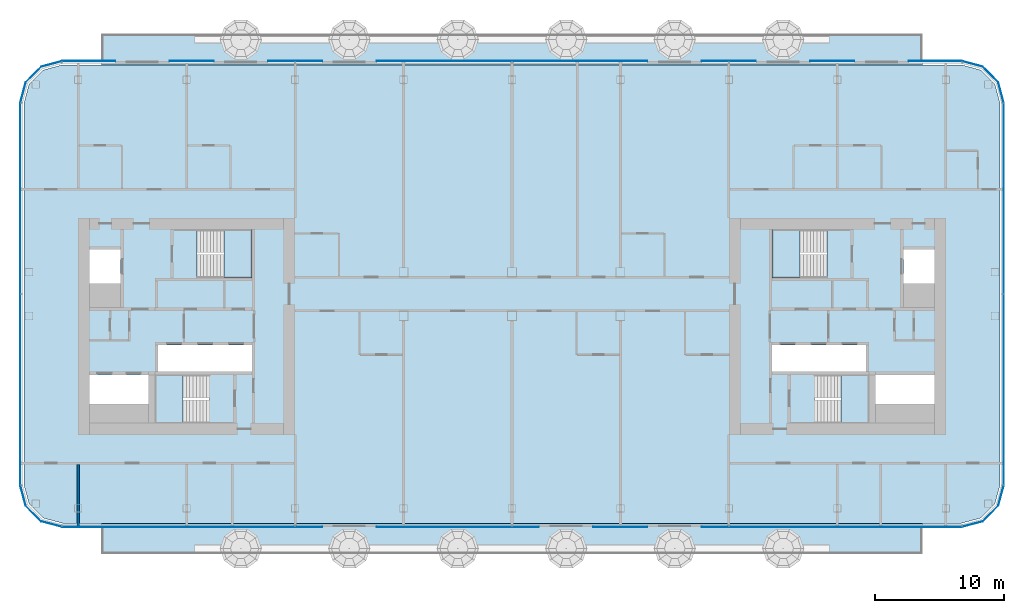
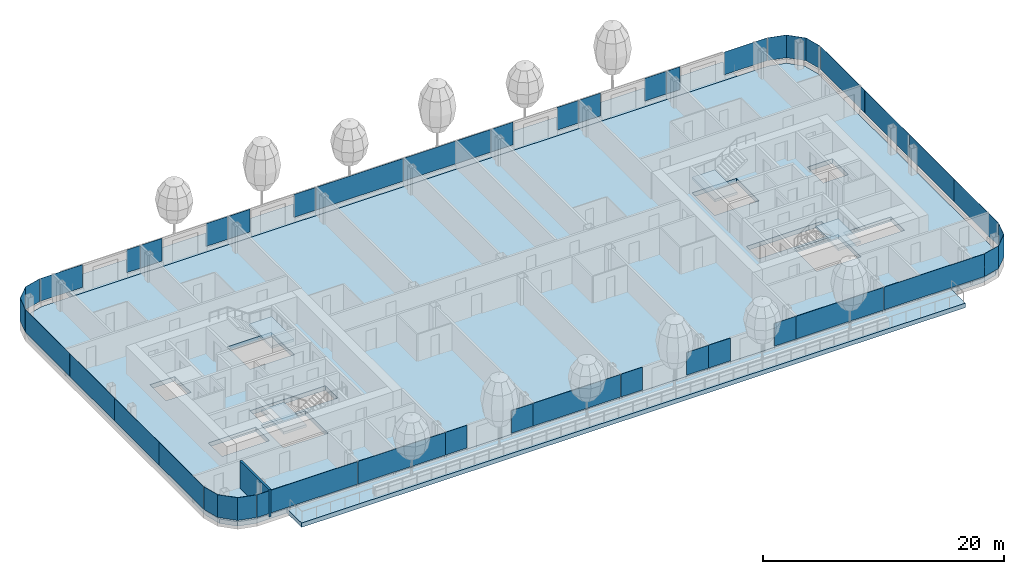
# One storey, part 10 of 28: 37 plates, 7 slabs, 1 wall, 12 elements without a shape of their own.
"""IFC4 building model written with IfcOpenShell, lengths in metres."""

import ifcopenshell
import ifcopenshell.guid

model = None  # the IFC model being written
_history = None  # IfcOwnerHistory: only IFC2X3 demands one
_inside = {}  # id of a spatial element -> (the spatial element, [elements in it])
_under = {}  # id of a project, library or spatial element -> (it, [spatial elements below it])
_declared = {}  # id of a project -> (the project, [libraries it declares])
_typed = {}  # id of a type object -> (the type object, [elements of that type])
_made_of = {}  # id of a material, layer set ... -> (it, [elements and type objects made of it])


def new_model(schema):
    """Start an empty IFC model of exactly this schema.

    Asked for "IFC4X3", IfcOpenShell would pick the latest addendum, in which some entities
    have other attributes; the version numbers below select the first issue.
    IFC2X3 requires an IfcOwnerHistory on every rooted entity: one is made here for all.
    """
    global model, _history
    if schema == "IFC4X3":
        model = ifcopenshell.file(schema_version=(4, 3, 0, 0))
    else:
        model = ifcopenshell.file(schema=schema)
    _inside.clear()
    _under.clear()
    _declared.clear()
    _typed.clear()
    _made_of.clear()
    _history = None
    if model.schema == "IFC2X3":
        org = make("IfcOrganization", Name="unknown")
        user = make(
            "IfcPersonAndOrganization",
            ThePerson=make("IfcPerson", FamilyName="unknown"),
            TheOrganization=org,
        )
        app = make(
            "IfcApplication",
            ApplicationDeveloper=org,
            Version="unknown",
            ApplicationFullName="unknown",
            ApplicationIdentifier="unknown",
        )
        _history = make(
            "IfcOwnerHistory",
            OwningUser=user,
            OwningApplication=app,
            ChangeAction="ADDED",
            CreationDate=0,
        )
    return model


def make(cls, **values):
    """One entity of the class cls with the attributes given. An attribute that is None is left unset."""
    return model.create_entity(
        cls, **{name: value for name, value in values.items() if value is not None}
    )


def rooted(cls, **values):
    """An entity with a GlobalId (a new one), such as an element, a storey or a relation."""
    return make(cls, GlobalId=ifcopenshell.guid.new(), OwnerHistory=_history, **values)


def si_unit(unit_type, name, prefix=None):
    """IfcSIUnit, for example si_unit("LENGTHUNIT", "METRE", prefix="MILLI")."""
    return make("IfcSIUnit", UnitType=unit_type, Prefix=prefix, Name=name)


def assignment(units):
    """IfcUnitAssignment: the units of a project."""
    return None if units is None else make("IfcUnitAssignment", Units=units)


def point(xyz):
    """IfcCartesianPoint."""
    return None if xyz is None else make("IfcCartesianPoint", Coordinates=xyz)


def direction(xyz):
    """IfcDirection."""
    return None if xyz is None else make("IfcDirection", DirectionRatios=xyz)


def frame(location, z_axis=None, x_axis=None):
    """IfcAxis2Placement3D, a coordinate frame: its origin and axes. An axis left out is left unset."""
    return make(
        "IfcAxis2Placement3D",
        Location=point(location),
        Axis=direction(z_axis),
        RefDirection=direction(x_axis),
    )


def frame_2d(location, x_axis=None):
    """IfcAxis2Placement2D, a coordinate frame in the plane: its origin and x axis."""
    return make(
        "IfcAxis2Placement2D", Location=point(location), RefDirection=direction(x_axis)
    )


def origin():
    """The frame at (0, 0, 0) with its axes left unset."""
    return frame((0.0, 0.0, 0.0))


def origin_2d():
    """The frame at (0, 0) in the plane with its x axis left unset."""
    return frame_2d((0.0, 0.0))


def place(relative_to, where):
    """IfcLocalPlacement: puts the frame where relative to a parent placement (None: the world)."""
    return make(
        "IfcLocalPlacement", PlacementRelTo=relative_to, RelativePlacement=where
    )


def context(
    kind, dimensions, precision=None, world=None, true_north=None, identifier=None
):
    """IfcGeometricRepresentationContext, for example the 3D "Model" context."""
    return make(
        "IfcGeometricRepresentationContext",
        ContextIdentifier=identifier,
        ContextType=kind,
        CoordinateSpaceDimension=dimensions,
        Precision=precision,
        WorldCoordinateSystem=world,
        TrueNorth=true_north,
    )


def subcontext(parent, identifier, kind, view, scale=None):
    """IfcGeometricRepresentationSubContext, for example "Body" below "Model"."""
    return make(
        "IfcGeometricRepresentationSubContext",
        ContextIdentifier=identifier,
        ContextType=kind,
        ParentContext=parent,
        TargetScale=scale,
        TargetView=view,
    )


def project(units=None, contexts=None):
    """IfcProject with its units and contexts."""
    return rooted(
        "IfcProject",
        Name="project",
        RepresentationContexts=contexts,
        UnitsInContext=assignment(units),
    )


def spatial(cls, under=None, at=None, **own):
    """A site, building, storey or space (cls), placed at a placement, below another one or the project."""
    s = rooted(cls, ObjectPlacement=at, **own)
    if under is not None:
        _under.setdefault(under.id(), (under, []))[1].append(s)
    return s


def polyline(points):
    """IfcPolyline through the points."""
    return make("IfcPolyline", Points=[point(p) for p in points])


def profile(cls, at=None, kind="AREA", **sizes):
    """A parametric profile (cls). Its sizes go by their IFC names, for example OverallWidth=200.0."""
    return make(cls, ProfileType=kind, Position=at, **sizes)


def rectangle(**sizes):
    """IfcRectangleProfileDef."""
    return profile("IfcRectangleProfileDef", **sizes)


def outline(outer, holes=None, kind="AREA"):
    """IfcArbitraryClosedProfileDef: a profile drawn as a closed curve; with holes, ...WithVoids."""
    if holes is None:
        return make("IfcArbitraryClosedProfileDef", ProfileType=kind, OuterCurve=outer)
    return make(
        "IfcArbitraryProfileDefWithVoids",
        ProfileType=kind,
        OuterCurve=outer,
        InnerCurves=holes,
    )


def extrude(swept, where, along, depth):
    """IfcExtrudedAreaSolid: the profile swept, set in the frame where, extruded along a direction by depth."""
    return make(
        "IfcExtrudedAreaSolid",
        SweptArea=swept,
        Position=where,
        ExtrudedDirection=direction(along),
        Depth=depth,
    )


def shape(context_of_items, identifier, shape_type, items):
    """IfcShapeRepresentation: the items that make up one representation, for example the "Body"."""
    return make(
        "IfcShapeRepresentation",
        ContextOfItems=context_of_items,
        RepresentationIdentifier=identifier,
        RepresentationType=shape_type,
        Items=items,
    )


def material(Name=None, Category=None):
    """IfcMaterial."""
    return make("IfcMaterial", Name=Name, Category=Category)


def layer(
    of_material, thickness, ventilated=None, Name=None, Category=None, Priority=None
):
    """IfcMaterialLayer: one layer of a wall or slab, of a material (None: an air gap)."""
    return make(
        "IfcMaterialLayer",
        Material=of_material,
        LayerThickness=thickness,
        IsVentilated=ventilated,
        Name=Name,
        Category=Category,
        Priority=Priority,
    )


def layer_set(layers, Name=None):
    """IfcMaterialLayerSet."""
    return make("IfcMaterialLayerSet", MaterialLayers=layers, LayerSetName=Name)


def made_of(thing, what):
    """Note that an element or type object is made of a material, layer set ...; save() writes the relation."""
    if what is not None:
        _made_of.setdefault(what.id(), (what, []))[1].append(thing)
    return thing


def type_object(cls, material=None, **own):
    """A type object (cls), such as IfcWallType, which elements share."""
    return made_of(rooted(cls, **own), material)


def element(
    cls,
    number,
    at=None,
    inside=None,
    cuts=None,
    type_object=None,
    material=None,
    context=None,
    identifier="Body",
    shape_type=None,
    held_by="IfcProductDefinitionShape",
    body=None,
    shapes=None,
    **own,
):
    """One element of the class cls, such as IfcWall. Its Tag is "e" and its number.

    at: its placement. inside: the storey or other place that contains it. cuts: it is an
    opening in that element (IfcRelVoidsElement). A single representation is given by context,
    identifier, shape_type and body (its items); several are given by shapes. held_by: the class
    of the entity that holds the representations. save() writes the other relations.
    """
    e = rooted(cls, Tag="e%d" % number, ObjectPlacement=at, **own)
    if body is not None:
        shapes = [shape(context, identifier, shape_type, body)]
    if shapes is not None:
        e.Representation = make(held_by, Representations=shapes)
    if inside is not None:
        _inside.setdefault(inside.id(), (inside, []))[1].append(e)
    if cuts is not None:
        rooted(
            "IfcRelVoidsElement", RelatingBuildingElement=cuts, RelatedOpeningElement=e
        )
    if type_object is not None:
        _typed.setdefault(type_object.id(), (type_object, []))[1].append(e)
    return made_of(e, material)


def aggregate(whole, parts):
    """IfcRelAggregates: a whole, such as a stair, and the parts it consists of."""
    return rooted("IfcRelAggregates", RelatingObject=whole, RelatedObjects=parts)


def save(model, path):
    """Write the relations noted so far, then the file.

    IfcRelAggregates (storeys below a building ...), IfcRelContainedInSpatialStructure (elements
    in a storey), IfcRelDefinesByType, IfcRelAssociatesMaterial and IfcRelDeclares: one each for
    every whole, place, type object, material and project.
    """
    for whole, parts in _under.values():
        aggregate(whole, parts)
    for where, things in _inside.values():
        rooted(
            "IfcRelContainedInSpatialStructure",
            RelatedElements=things,
            RelatingStructure=where,
        )
    for kind, things in _typed.values():
        rooted("IfcRelDefinesByType", RelatedObjects=things, RelatingType=kind)
    for what, things in _made_of.values():
        rooted("IfcRelAssociatesMaterial", RelatedObjects=things, RelatingMaterial=what)
    for by, libraries in _declared.values():
        rooted("IfcRelDeclares", RelatingContext=by, RelatedDefinitions=libraries)
    model.write(path)


model = new_model("IFC4")

# Units and contexts
model_context = context("Model", 3, precision=1e-05, world=origin(), true_north=direction((0.0, 1.0)))
body_context = subcontext(model_context, "Body", "Model", "MODEL_VIEW")
ifc_project = project(units=[si_unit("LENGTHUNIT", "METRE"), si_unit("AREAUNIT", "SQUARE_METRE"), si_unit("VOLUMEUNIT", "CUBIC_METRE"), si_unit("PLANEANGLEUNIT", "RADIAN"), si_unit("MASSUNIT", "GRAM", prefix="KILO")], contexts=[model_context])

# Site, building, storey
site_placement = place(None, origin())
site = spatial("IfcSite", under=ifc_project, at=site_placement, CompositionType="ELEMENT")
building_placement = place(site_placement, origin())
building = spatial("IfcBuilding", under=site, at=building_placement, Name="Hakoniwa Tower and Hamabe Station Hall", CompositionType="ELEMENT")
storey_placement = place(building_placement, frame((0.0, 0.0, 218.60009765625)))
storey = spatial("IfcBuildingStorey", under=building, at=storey_placement, Name="L62", CompositionType="ELEMENT", Elevation=218.60009765625)

# Slabs
ifc_material_1 = material(Name="Concrete C42", Category="concrete")
ifc_layer_1 = layer(ifc_material_1, 0.25)
ifc_layer_set_1 = layer_set([ifc_layer_1], Name="BALCONY SLAB 250")
slab_type_1 = type_object("IfcSlabType", Name="BALCONY SLAB 250", PredefinedType="FLOOR", material=ifc_layer_set_1)
slab_1_placement = place(storey_placement, frame((0.0, 0.0, -0.4501953125)))
element("IfcSlab", 1, at=slab_1_placement, inside=storey, type_object=slab_type_1, Name="Balcony slab L62 BAL-L62-N", PredefinedType="FLOOR", context=body_context, shape_type="SweptSolid", body=[
    extrude(outline(polyline([(-31.800048828125, 20.25), (31.800048828125, 20.25), (31.800048828125, 22.64990234375), (-31.800048828125, 22.64990234375), (-31.800048828125, 20.25)])), origin(), (0.0, 0.0, 1.0), 0.4501953125),
])
slab_2_placement = place(storey_placement, frame((0.0, 0.0, -0.4501953125)))
element("IfcSlab", 2, at=slab_2_placement, inside=storey, type_object=slab_type_1, Name="Balcony slab L62 BAL-L62-S", PredefinedType="FLOOR", context=body_context, shape_type="SweptSolid", body=[
    extrude(outline(polyline([(-31.800048828125, -17.64990234375), (31.800048828125, -17.64990234375), (31.800048828125, -15.25), (-31.800048828125, -15.25), (-31.800048828125, -17.64990234375)])), origin(), (0.0, 0.0, 1.0), 0.4501953125),
])

# Stair, slab
ifc_material_2 = material(Name="Concrete C40", Category="concrete")
stair_type = type_object("IfcStairType", Name="ESCAPE STAIR 1800", PredefinedType="HALF_TURN_STAIR", material=ifc_material_2)
stair_1_placement = place(storey_placement, origin())
stair_1 = element("IfcStair", 3, at=stair_1_placement, inside=storey, type_object=stair_type, Name="Escape stair ST-1 L62", PredefinedType="HALF_TURN_STAIR")
ifc_material_3 = material(Name="Concrete C40", Category="concrete")
ifc_layer_2 = layer(ifc_material_3, 0.25)
ifc_layer_set_2 = layer_set([ifc_layer_2], Name="CORE STAIR LANDING 250")
slab_type_2 = type_object("IfcSlabType", Name="CORE STAIR LANDING 250", PredefinedType="LANDING", material=ifc_layer_set_2)
slab_3_placement = place(storey_placement, frame((0.0, 0.0, 1.349853515625)))
slab_3 = element("IfcSlab", 4, at=slab_3_placement, type_object=slab_type_2, Name="ST-1 landing 1", PredefinedType="LANDING", context=body_context, shape_type="SweptSolid", body=[
    extrude(outline(polyline([(-22.320068359375, 3.75), (-20.14990234375, 3.75), (-20.14990234375, 7.5), (-22.320068359375, 7.5), (-22.320068359375, 3.75)])), origin(), (0.0, 0.0, 1.0), 0.25),
])
aggregate(stair_1, [slab_3])

stair_2_placement = place(storey_placement, origin())
stair_2 = element("IfcStair", 5, at=stair_2_placement, inside=storey, type_object=stair_type, Name="Escape stair ST-2 L62", PredefinedType="HALF_TURN_STAIR")
slab_4_placement = place(storey_placement, frame((0.0, 0.0, 1.349853515625)))
slab_4 = element("IfcSlab", 6, at=slab_4_placement, type_object=slab_type_2, Name="ST-2 landing 1", PredefinedType="LANDING", context=body_context, shape_type="SweptSolid", body=[
    extrude(outline(polyline([(-25.47998046875, -7.5), (-27.64990234375, -7.5), (-27.64990234375, -3.75), (-25.47998046875, -3.75), (-25.47998046875, -7.5)])), origin(), (0.0, 0.0, 1.0), 0.25),
])
aggregate(stair_2, [slab_4])

stair_3_placement = place(storey_placement, origin())
stair_3 = element("IfcStair", 7, at=stair_3_placement, inside=storey, type_object=stair_type, Name="Escape stair ST-3 L62", PredefinedType="HALF_TURN_STAIR")
slab_5_placement = place(storey_placement, frame((0.0, 0.0, 1.349853515625)))
slab_5 = element("IfcSlab", 8, at=slab_5_placement, type_object=slab_type_2, Name="ST-3 landing 1", PredefinedType="LANDING", context=body_context, shape_type="SweptSolid", body=[
    extrude(outline(polyline([(22.320068359375, 3.75), (20.14990234375, 3.75), (20.14990234375, 7.5), (22.320068359375, 7.5), (22.320068359375, 3.75)])), origin(), (0.0, 0.0, 1.0), 0.25),
])
aggregate(stair_3, [slab_5])

stair_4_placement = place(storey_placement, origin())
stair_4 = element("IfcStair", 9, at=stair_4_placement, inside=storey, type_object=stair_type, Name="Escape stair ST-4 L62", PredefinedType="HALF_TURN_STAIR")
slab_6_placement = place(storey_placement, frame((0.0, 0.0, 1.349853515625)))
slab_6 = element("IfcSlab", 10, at=slab_6_placement, type_object=slab_type_2, Name="ST-4 landing 1", PredefinedType="LANDING", context=body_context, shape_type="SweptSolid", body=[
    extrude(outline(polyline([(25.47998046875, -7.5), (27.64990234375, -7.5), (27.64990234375, -3.75), (25.47998046875, -3.75), (25.47998046875, -7.5)])), origin(), (0.0, 0.0, 1.0), 0.25),
])
aggregate(stair_4, [slab_6])

# Curtain wall, plates
ifc_material_4 = material(Name="Dark low-e laminated glass", Category="glass")
ifc_layer_3 = layer(ifc_material_4, 0.199951171875)
ifc_layer_set_3 = layer_set([ifc_layer_3], Name="CW-1 UNITISED GUEST")
curtain_wall_type = type_object("IfcCurtainWallType", Name="CW-1 UNITISED GUEST", PredefinedType="NOTDEFINED", material=ifc_layer_set_3)
curtain_wall_1_placement = place(storey_placement, origin())
curtain_wall_1 = element("IfcCurtainWall", 11, at=curtain_wall_1_placement, inside=storey, type_object=curtain_wall_type, Name="CW-1 curtain wall", PredefinedType="NOTDEFINED")
ifc_material_5 = material(Name="Dark low-e laminated glass", Category="glass")
ifc_layer_4 = layer(ifc_material_5, 0.028076171875)
ifc_layer_set_4 = layer_set([ifc_layer_4], Name="CW-1 GLASS UNIT")
plate_type = type_object("IfcPlateType", Name="CW-1 GLASS UNIT", PredefinedType="CURTAIN_PANEL", material=ifc_layer_set_4)
plate_1_placement = place(storey_placement, frame((38.0859375, -8.592041015625, 0.35009765625), z_axis=(0.0, 0.0, 1.0), x_axis=(0.0, 1.0, 0.0)))
plate_1 = element("IfcPlate", 12, at=plate_1_placement, type_object=plate_type, Name="CW-1 glass unit", PredefinedType="CURTAIN_PANEL", context=body_context, shape_type="SweptSolid", body=[
    extrude(rectangle(XDim=7.374755859375, YDim=0.028076171875, at=origin_2d()), origin(), (0.0, 0.0, 1.0), 2.300048828125),
])
plate_2_placement = place(storey_placement, frame((38.0859375, -1.197265625, 0.35009765625), z_axis=(0.0, 0.0, 1.0), x_axis=(0.0, 1.0, 0.0)))
plate_2 = element("IfcPlate", 13, at=plate_2_placement, type_object=plate_type, Name="CW-1 glass unit", PredefinedType="CURTAIN_PANEL", context=body_context, shape_type="SweptSolid", body=[
    extrude(rectangle(XDim=7.374755859375, YDim=0.028076171875, at=origin_2d()), origin(), (0.0, 0.0, 1.0), 2.300048828125),
])
plate_3_placement = place(storey_placement, frame((38.0859375, 6.197265625, 0.35009765625), z_axis=(0.0, 0.0, 1.0), x_axis=(0.0, 1.0, 0.0)))
plate_3 = element("IfcPlate", 14, at=plate_3_placement, type_object=plate_type, Name="CW-1 glass unit", PredefinedType="CURTAIN_PANEL", context=body_context, shape_type="SweptSolid", body=[
    extrude(rectangle(XDim=7.374755859375, YDim=0.028076171875, at=origin_2d()), origin(), (0.0, 0.0, 1.0), 2.300048828125),
])
plate_4_placement = place(storey_placement, frame((38.0859375, 13.592041015625, 0.35009765625), z_axis=(0.0, 0.0, 1.0), x_axis=(0.0, 1.0, 0.0)))
plate_4 = element("IfcPlate", 15, at=plate_4_placement, type_object=plate_type, Name="CW-1 glass unit", PredefinedType="CURTAIN_PANEL", context=body_context, shape_type="SweptSolid", body=[
    extrude(rectangle(XDim=7.374755859375, YDim=0.028076171875, at=origin_2d()), origin(), (0.0, 0.0, 1.0), 2.300048828125),
])
aggregate(curtain_wall_1, [plate_1, plate_2, plate_3, plate_4])

# Curtain wall, plate
curtain_wall_2_placement = place(storey_placement, origin())
curtain_wall_2 = element("IfcCurtainWall", 16, at=curtain_wall_2_placement, inside=storey, type_object=curtain_wall_type, Name="CW-1 curtain wall", PredefinedType="NOTDEFINED")
plate_5_placement = place(storey_placement, frame((0.0, 0.0, 0.349853515625)))
plate_5 = element("IfcPlate", 17, at=plate_5_placement, type_object=plate_type, Name="CW-1 curved corner unit", PredefinedType="CURTAIN_PANEL", context=body_context, shape_type="SweptSolid", body=[
    extrude(outline(polyline([(38.089599609375, 17.328125), (37.6669921875, 18.9052734375), (36.455322265625, 20.116943359375), (34.878173828125, 20.53955078125), (34.870849609375, 20.5126953125), (36.44091796875, 20.092041015625), (37.641845703125, 18.890869140625), (38.0625, 17.32080078125), (38.089599609375, 17.328125)])), origin(), (0.0, 0.0, 1.0), 2.300048828125),
])
aggregate(curtain_wall_2, [plate_5])

# Curtain wall, plates
curtain_wall_3_placement = place(storey_placement, origin())
curtain_wall_3 = element("IfcCurtainWall", 18, at=curtain_wall_3_placement, inside=storey, type_object=curtain_wall_type, Name="CW-1 curtain wall", PredefinedType="NOTDEFINED")
plate_6_placement = place(storey_placement, frame((32.7822265625, 20.535888671875, 0.35009765625), z_axis=(0.0, 0.0, 1.0), x_axis=(-1.0, 0.0, 0.0)))
plate_6 = element("IfcPlate", 19, at=plate_6_placement, type_object=plate_type, Name="CW-1 glass unit", PredefinedType="CURTAIN_PANEL", context=body_context, shape_type="SweptSolid", body=[
    extrude(rectangle(XDim=4.094482421875, YDim=0.028076171875, at=origin_2d()), origin(), (0.0, 0.0, 1.0), 2.300048828125),
])
plate_7_placement = place(storey_placement, frame((25.862548828125, 20.535888671875, 0.35009765625), z_axis=(0.0, 0.0, 1.0), x_axis=(-1.0, 0.0, 0.0)))
plate_7 = element("IfcPlate", 20, at=plate_7_placement, type_object=plate_type, Name="CW-1 glass unit", PredefinedType="CURTAIN_PANEL", context=body_context, shape_type="SweptSolid", body=[
    extrude(rectangle(XDim=1.304931640625, YDim=0.028076171875, at=origin_2d()), origin(), (0.0, 0.0, 1.0), 2.300048828125),
])
plate_8_placement = place(storey_placement, frame((24.14990234375, 20.535888671875, 0.35009765625), z_axis=(0.0, 0.0, 1.0), x_axis=(-1.0, 0.0, 0.0)))
plate_8 = element("IfcPlate", 21, at=plate_8_placement, type_object=plate_type, Name="CW-1 glass unit", PredefinedType="CURTAIN_PANEL", context=body_context, shape_type="SweptSolid", body=[
    extrude(rectangle(XDim=2.080078125, YDim=0.028076171875, at=origin_2d()), origin(), (0.0, 0.0, 1.0), 2.300048828125),
])
plate_9_placement = place(storey_placement, frame((17.85009765625, 20.535888671875, 0.35009765625), z_axis=(0.0, 0.0, 1.0), x_axis=(-1.0, 0.0, 0.0)))
plate_9 = element("IfcPlate", 22, at=plate_9_placement, type_object=plate_type, Name="CW-1 glass unit", PredefinedType="CURTAIN_PANEL", context=body_context, shape_type="SweptSolid", body=[
    extrude(rectangle(XDim=2.080078125, YDim=0.028076171875, at=origin_2d()), origin(), (0.0, 0.0, 1.0), 2.300048828125),
])
plate_10_placement = place(storey_placement, frame((15.75, 20.535888671875, 0.35009765625), z_axis=(0.0, 0.0, 1.0), x_axis=(-1.0, 0.0, 0.0)))
plate_10 = element("IfcPlate", 23, at=plate_10_placement, type_object=plate_type, Name="CW-1 glass unit", PredefinedType="CURTAIN_PANEL", context=body_context, shape_type="SweptSolid", body=[
    extrude(rectangle(XDim=2.080078125, YDim=0.028076171875, at=origin_2d()), origin(), (0.0, 0.0, 1.0), 2.300048828125),
])
plate_11_placement = place(storey_placement, frame((9.449951171875, 20.535888671875, 0.35009765625), z_axis=(0.0, 0.0, 1.0), x_axis=(-1.0, 0.0, 0.0)))
plate_11 = element("IfcPlate", 24, at=plate_11_placement, type_object=plate_type, Name="CW-1 glass unit", PredefinedType="CURTAIN_PANEL", context=body_context, shape_type="SweptSolid", body=[
    extrude(rectangle(XDim=2.080078125, YDim=0.028076171875, at=origin_2d()), origin(), (0.0, 0.0, 1.0), 2.300048828125),
])
plate_12_placement = place(storey_placement, frame((4.199951171875, 20.535888671875, 0.35009765625), z_axis=(0.0, 0.0, 1.0), x_axis=(-1.0, 0.0, 0.0)))
plate_12 = element("IfcPlate", 25, at=plate_12_placement, type_object=plate_type, Name="CW-1 glass unit", PredefinedType="CURTAIN_PANEL", context=body_context, shape_type="SweptSolid", body=[
    extrude(rectangle(XDim=8.3798828125, YDim=0.028076171875, at=origin_2d()), origin(), (0.0, 0.0, 1.0), 2.300048828125),
])
plate_13_placement = place(storey_placement, frame((-4.199951171875, 20.535888671875, 0.35009765625), z_axis=(0.0, 0.0, 1.0), x_axis=(-1.0, 0.0, 0.0)))
plate_13 = element("IfcPlate", 26, at=plate_13_placement, type_object=plate_type, Name="CW-1 glass unit", PredefinedType="CURTAIN_PANEL", context=body_context, shape_type="SweptSolid", body=[
    extrude(rectangle(XDim=8.3798828125, YDim=0.028076171875, at=origin_2d()), origin(), (0.0, 0.0, 1.0), 2.300048828125),
])
plate_14_placement = place(storey_placement, frame((-9.449951171875, 20.535888671875, 0.35009765625), z_axis=(0.0, 0.0, 1.0), x_axis=(-1.0, 0.0, 0.0)))
plate_14 = element("IfcPlate", 27, at=plate_14_placement, type_object=plate_type, Name="CW-1 glass unit", PredefinedType="CURTAIN_PANEL", context=body_context, shape_type="SweptSolid", body=[
    extrude(rectangle(XDim=2.080078125, YDim=0.028076171875, at=origin_2d()), origin(), (0.0, 0.0, 1.0), 2.300048828125),
])
plate_15_placement = place(storey_placement, frame((-15.75, 20.535888671875, 0.35009765625), z_axis=(0.0, 0.0, 1.0), x_axis=(-1.0, 0.0, 0.0)))
plate_15 = element("IfcPlate", 28, at=plate_15_placement, type_object=plate_type, Name="CW-1 glass unit", PredefinedType="CURTAIN_PANEL", context=body_context, shape_type="SweptSolid", body=[
    extrude(rectangle(XDim=2.080078125, YDim=0.028076171875, at=origin_2d()), origin(), (0.0, 0.0, 1.0), 2.300048828125),
])
plate_16_placement = place(storey_placement, frame((-17.85009765625, 20.535888671875, 0.35009765625), z_axis=(0.0, 0.0, 1.0), x_axis=(-1.0, 0.0, 0.0)))
plate_16 = element("IfcPlate", 29, at=plate_16_placement, type_object=plate_type, Name="CW-1 glass unit", PredefinedType="CURTAIN_PANEL", context=body_context, shape_type="SweptSolid", body=[
    extrude(rectangle(XDim=2.080078125, YDim=0.028076171875, at=origin_2d()), origin(), (0.0, 0.0, 1.0), 2.300048828125),
])
plate_17_placement = place(storey_placement, frame((-24.14990234375, 20.535888671875, 0.35009765625), z_axis=(0.0, 0.0, 1.0), x_axis=(-1.0, 0.0, 0.0)))
plate_17 = element("IfcPlate", 30, at=plate_17_placement, type_object=plate_type, Name="CW-1 glass unit", PredefinedType="CURTAIN_PANEL", context=body_context, shape_type="SweptSolid", body=[
    extrude(rectangle(XDim=2.080078125, YDim=0.028076171875, at=origin_2d()), origin(), (0.0, 0.0, 1.0), 2.300048828125),
])
plate_18_placement = place(storey_placement, frame((-25.862548828125, 20.535888671875, 0.35009765625), z_axis=(0.0, 0.0, 1.0), x_axis=(-1.0, 0.0, 0.0)))
plate_18 = element("IfcPlate", 31, at=plate_18_placement, type_object=plate_type, Name="CW-1 glass unit", PredefinedType="CURTAIN_PANEL", context=body_context, shape_type="SweptSolid", body=[
    extrude(rectangle(XDim=1.304931640625, YDim=0.028076171875, at=origin_2d()), origin(), (0.0, 0.0, 1.0), 2.300048828125),
])
plate_19_placement = place(storey_placement, frame((-32.7822265625, 20.535888671875, 0.35009765625), z_axis=(0.0, 0.0, 1.0), x_axis=(-1.0, 0.0, 0.0)))
plate_19 = element("IfcPlate", 32, at=plate_19_placement, type_object=plate_type, Name="CW-1 glass unit", PredefinedType="CURTAIN_PANEL", context=body_context, shape_type="SweptSolid", body=[
    extrude(rectangle(XDim=4.094482421875, YDim=0.028076171875, at=origin_2d()), origin(), (0.0, 0.0, 1.0), 2.300048828125),
])
aggregate(curtain_wall_3, [plate_6, plate_7, plate_8, plate_9, plate_10, plate_11, plate_12, plate_13, plate_14, plate_15, plate_16, plate_17, plate_18, plate_19])

# Curtain wall, plate
curtain_wall_4_placement = place(storey_placement, origin())
curtain_wall_4 = element("IfcCurtainWall", 33, at=curtain_wall_4_placement, inside=storey, type_object=curtain_wall_type, Name="CW-1 curtain wall", PredefinedType="NOTDEFINED")
plate_20_placement = place(storey_placement, frame((0.0, 0.0, 0.349853515625)))
plate_20 = element("IfcPlate", 34, at=plate_20_placement, type_object=plate_type, Name="CW-1 curved corner unit", PredefinedType="CURTAIN_PANEL", context=body_context, shape_type="SweptSolid", body=[
    extrude(outline(polyline([(-34.878173828125, 20.53955078125), (-36.455322265625, 20.116943359375), (-37.6669921875, 18.9052734375), (-38.089599609375, 17.328125), (-38.0625, 17.32080078125), (-37.641845703125, 18.890869140625), (-36.44091796875, 20.092041015625), (-34.870849609375, 20.5126953125), (-34.878173828125, 20.53955078125)])), origin(), (0.0, 0.0, 1.0), 2.300048828125),
])
aggregate(curtain_wall_4, [plate_20])

# Curtain wall, plates
curtain_wall_5_placement = place(storey_placement, origin())
curtain_wall_5 = element("IfcCurtainWall", 35, at=curtain_wall_5_placement, inside=storey, type_object=curtain_wall_type, Name="CW-1 curtain wall", PredefinedType="NOTDEFINED")
plate_21_placement = place(storey_placement, frame((-38.0859375, 13.592041015625, 0.35009765625), z_axis=(0.0, 0.0, 1.0), x_axis=(0.0, -1.0, 0.0)))
plate_21 = element("IfcPlate", 36, at=plate_21_placement, type_object=plate_type, Name="CW-1 glass unit", PredefinedType="CURTAIN_PANEL", context=body_context, shape_type="SweptSolid", body=[
    extrude(rectangle(XDim=7.374755859375, YDim=0.028076171875, at=origin_2d()), origin(), (0.0, 0.0, 1.0), 2.300048828125),
])
plate_22_placement = place(storey_placement, frame((-38.0859375, 6.197265625, 0.35009765625), z_axis=(0.0, 0.0, 1.0), x_axis=(0.0, -1.0, 0.0)))
plate_22 = element("IfcPlate", 37, at=plate_22_placement, type_object=plate_type, Name="CW-1 glass unit", PredefinedType="CURTAIN_PANEL", context=body_context, shape_type="SweptSolid", body=[
    extrude(rectangle(XDim=7.374755859375, YDim=0.028076171875, at=origin_2d()), origin(), (0.0, 0.0, 1.0), 2.300048828125),
])
plate_23_placement = place(storey_placement, frame((-38.0859375, -1.197265625, 0.35009765625), z_axis=(0.0, 0.0, 1.0), x_axis=(0.0, -1.0, 0.0)))
plate_23 = element("IfcPlate", 38, at=plate_23_placement, type_object=plate_type, Name="CW-1 glass unit", PredefinedType="CURTAIN_PANEL", context=body_context, shape_type="SweptSolid", body=[
    extrude(rectangle(XDim=7.374755859375, YDim=0.028076171875, at=origin_2d()), origin(), (0.0, 0.0, 1.0), 2.300048828125),
])
plate_24_placement = place(storey_placement, frame((-38.0859375, -8.592041015625, 0.35009765625), z_axis=(0.0, 0.0, 1.0), x_axis=(0.0, -1.0, 0.0)))
plate_24 = element("IfcPlate", 39, at=plate_24_placement, type_object=plate_type, Name="CW-1 glass unit", PredefinedType="CURTAIN_PANEL", context=body_context, shape_type="SweptSolid", body=[
    extrude(rectangle(XDim=7.374755859375, YDim=0.028076171875, at=origin_2d()), origin(), (0.0, 0.0, 1.0), 2.300048828125),
])
aggregate(curtain_wall_5, [plate_21, plate_22, plate_23, plate_24])

# Curtain wall, plate
curtain_wall_6_placement = place(storey_placement, origin())
curtain_wall_6 = element("IfcCurtainWall", 40, at=curtain_wall_6_placement, inside=storey, type_object=curtain_wall_type, Name="CW-1 curtain wall", PredefinedType="NOTDEFINED")
plate_25_placement = place(storey_placement, frame((0.0, 0.0, 0.349853515625)))
plate_25 = element("IfcPlate", 41, at=plate_25_placement, type_object=plate_type, Name="CW-1 curved corner unit", PredefinedType="CURTAIN_PANEL", context=body_context, shape_type="SweptSolid", body=[
    extrude(outline(polyline([(-38.089599609375, -12.328125), (-37.6669921875, -13.9052734375), (-36.455322265625, -15.116943359375), (-34.878173828125, -15.53955078125), (-34.870849609375, -15.5126953125), (-36.44091796875, -15.092041015625), (-37.641845703125, -13.890869140625), (-38.0625, -12.32080078125), (-38.089599609375, -12.328125)])), origin(), (0.0, 0.0, 1.0), 2.300048828125),
])
aggregate(curtain_wall_6, [plate_25])

# Curtain wall, plates
curtain_wall_7_placement = place(storey_placement, origin())
curtain_wall_7 = element("IfcCurtainWall", 42, at=curtain_wall_7_placement, inside=storey, type_object=curtain_wall_type, Name="CW-1 curtain wall", PredefinedType="NOTDEFINED")
plate_26_placement = place(storey_placement, frame((-30.019775390625, -15.535888671875, 0.35009765625), z_axis=(0.0, 0.0, 1.0), x_axis=(1.0, 0.0, 0.0)))
plate_26 = element("IfcPlate", 43, at=plate_26_placement, type_object=plate_type, Name="CW-1 glass unit", PredefinedType="CURTAIN_PANEL", context=body_context, shape_type="SweptSolid", body=[
    extrude(rectangle(XDim=9.619384765625, YDim=0.028076171875, at=origin_2d()), origin(), (0.0, 0.0, 1.0), 2.300048828125),
])
plate_27_placement = place(storey_placement, frame((-21.0, -15.535888671875, 0.35009765625), z_axis=(0.0, 0.0, 1.0), x_axis=(1.0, 0.0, 0.0)))
plate_27 = element("IfcPlate", 44, at=plate_27_placement, type_object=plate_type, Name="CW-1 glass unit", PredefinedType="CURTAIN_PANEL", context=body_context, shape_type="SweptSolid", body=[
    extrude(rectangle(XDim=8.3798828125, YDim=0.028076171875, at=origin_2d()), origin(), (0.0, 0.0, 1.0), 2.300048828125),
])
plate_28_placement = place(storey_placement, frame((-15.75, -15.535888671875, 0.35009765625), z_axis=(0.0, 0.0, 1.0), x_axis=(1.0, 0.0, 0.0)))
plate_28 = element("IfcPlate", 45, at=plate_28_placement, type_object=plate_type, Name="CW-1 glass unit", PredefinedType="CURTAIN_PANEL", context=body_context, shape_type="SweptSolid", body=[
    extrude(rectangle(XDim=2.080078125, YDim=0.028076171875, at=origin_2d()), origin(), (0.0, 0.0, 1.0), 2.300048828125),
])
plate_29_placement = place(storey_placement, frame((-9.449951171875, -15.535888671875, 0.35009765625), z_axis=(0.0, 0.0, 1.0), x_axis=(1.0, 0.0, 0.0)))
plate_29 = element("IfcPlate", 46, at=plate_29_placement, type_object=plate_type, Name="CW-1 glass unit", PredefinedType="CURTAIN_PANEL", context=body_context, shape_type="SweptSolid", body=[
    extrude(rectangle(XDim=2.080078125, YDim=0.028076171875, at=origin_2d()), origin(), (0.0, 0.0, 1.0), 2.300048828125),
])
plate_30_placement = place(storey_placement, frame((-4.199951171875, -15.535888671875, 0.35009765625), z_axis=(0.0, 0.0, 1.0), x_axis=(1.0, 0.0, 0.0)))
plate_30 = element("IfcPlate", 47, at=plate_30_placement, type_object=plate_type, Name="CW-1 glass unit", PredefinedType="CURTAIN_PANEL", context=body_context, shape_type="SweptSolid", body=[
    extrude(rectangle(XDim=8.3798828125, YDim=0.028076171875, at=origin_2d()), origin(), (0.0, 0.0, 1.0), 2.300048828125),
])
plate_31_placement = place(storey_placement, frame((1.050048828125, -15.535888671875, 0.35009765625), z_axis=(0.0, 0.0, 1.0), x_axis=(1.0, 0.0, 0.0)))
plate_31 = element("IfcPlate", 48, at=plate_31_placement, type_object=plate_type, Name="CW-1 glass unit", PredefinedType="CURTAIN_PANEL", context=body_context, shape_type="SweptSolid", body=[
    extrude(rectangle(XDim=2.080078125, YDim=0.028076171875, at=origin_2d()), origin(), (0.0, 0.0, 1.0), 2.300048828125),
])
plate_32_placement = place(storey_placement, frame((7.35009765625, -15.535888671875, 0.35009765625), z_axis=(0.0, 0.0, 1.0), x_axis=(1.0, 0.0, 0.0)))
plate_32 = element("IfcPlate", 49, at=plate_32_placement, type_object=plate_type, Name="CW-1 glass unit", PredefinedType="CURTAIN_PANEL", context=body_context, shape_type="SweptSolid", body=[
    extrude(rectangle(XDim=2.080078125, YDim=0.028076171875, at=origin_2d()), origin(), (0.0, 0.0, 1.0), 2.300048828125),
])
plate_33_placement = place(storey_placement, frame((9.449951171875, -15.535888671875, 0.35009765625), z_axis=(0.0, 0.0, 1.0), x_axis=(1.0, 0.0, 0.0)))
plate_33 = element("IfcPlate", 50, at=plate_33_placement, type_object=plate_type, Name="CW-1 glass unit", PredefinedType="CURTAIN_PANEL", context=body_context, shape_type="SweptSolid", body=[
    extrude(rectangle(XDim=2.080078125, YDim=0.028076171875, at=origin_2d()), origin(), (0.0, 0.0, 1.0), 2.300048828125),
])
plate_34_placement = place(storey_placement, frame((15.75, -15.535888671875, 0.35009765625), z_axis=(0.0, 0.0, 1.0), x_axis=(1.0, 0.0, 0.0)))
plate_34 = element("IfcPlate", 51, at=plate_34_placement, type_object=plate_type, Name="CW-1 glass unit", PredefinedType="CURTAIN_PANEL", context=body_context, shape_type="SweptSolid", body=[
    extrude(rectangle(XDim=2.080078125, YDim=0.028076171875, at=origin_2d()), origin(), (0.0, 0.0, 1.0), 2.300048828125),
])
plate_35_placement = place(storey_placement, frame((21.0, -15.535888671875, 0.35009765625), z_axis=(0.0, 0.0, 1.0), x_axis=(1.0, 0.0, 0.0)))
plate_35 = element("IfcPlate", 52, at=plate_35_placement, type_object=plate_type, Name="CW-1 glass unit", PredefinedType="CURTAIN_PANEL", context=body_context, shape_type="SweptSolid", body=[
    extrude(rectangle(XDim=8.3798828125, YDim=0.028076171875, at=origin_2d()), origin(), (0.0, 0.0, 1.0), 2.300048828125),
])
plate_36_placement = place(storey_placement, frame((30.019775390625, -15.535888671875, 0.35009765625), z_axis=(0.0, 0.0, 1.0), x_axis=(1.0, 0.0, 0.0)))
plate_36 = element("IfcPlate", 53, at=plate_36_placement, type_object=plate_type, Name="CW-1 glass unit", PredefinedType="CURTAIN_PANEL", context=body_context, shape_type="SweptSolid", body=[
    extrude(rectangle(XDim=9.619384765625, YDim=0.028076171875, at=origin_2d()), origin(), (0.0, 0.0, 1.0), 2.300048828125),
])
aggregate(curtain_wall_7, [plate_26, plate_27, plate_28, plate_29, plate_30, plate_31, plate_32, plate_33, plate_34, plate_35, plate_36])

# Curtain wall, plate
curtain_wall_8_placement = place(storey_placement, origin())
curtain_wall_8 = element("IfcCurtainWall", 54, at=curtain_wall_8_placement, inside=storey, type_object=curtain_wall_type, Name="CW-1 curtain wall", PredefinedType="NOTDEFINED")
plate_37_placement = place(storey_placement, frame((0.0, 0.0, 0.349853515625)))
plate_37 = element("IfcPlate", 55, at=plate_37_placement, type_object=plate_type, Name="CW-1 curved corner unit", PredefinedType="CURTAIN_PANEL", context=body_context, shape_type="SweptSolid", body=[
    extrude(outline(polyline([(34.878173828125, -15.53955078125), (36.455322265625, -15.116943359375), (37.6669921875, -13.9052734375), (38.089599609375, -12.328125), (38.0625, -12.32080078125), (37.641845703125, -13.890869140625), (36.44091796875, -15.092041015625), (34.870849609375, -15.5126953125), (34.878173828125, -15.53955078125)])), origin(), (0.0, 0.0, 1.0), 2.300048828125),
])
aggregate(curtain_wall_8, [plate_37])

# Slab
ifc_material_6 = material(Name="Concrete C42", Category="concrete")
ifc_layer_5 = layer(ifc_material_6, 0.449951171875)
ifc_layer_set_5 = layer_set([ifc_layer_5], Name="PT FLAT PLATE 450")
slab_type_3 = type_object("IfcSlabType", Name="PT FLAT PLATE 450", PredefinedType="FLOOR", material=ifc_layer_set_5)
slab_7_placement = place(storey_placement, frame((0.0, 0.0, -0.4501953125)))
element("IfcSlab", 56, at=slab_7_placement, inside=storey, type_object=slab_type_3, Name="Floor slab L62", PredefinedType="FLOOR", context=body_context, shape_type="SweptSolid", body=[
    extrude(outline(polyline([(37.800048828125, -12.25), (37.800048828125, 17.25), (37.398193359375, 18.75), (36.300048828125, 19.84814453125), (34.800048828125, 20.25), (-34.800048828125, 20.25), (-36.300048828125, 19.84814453125), (-37.398193359375, 18.75), (-37.800048828125, 17.25), (-37.800048828125, -12.25), (-37.398193359375, -13.75), (-36.300048828125, -14.84814453125), (-34.800048828125, -15.25), (34.800048828125, -15.25), (36.300048828125, -14.84814453125), (37.398193359375, -13.75), (37.800048828125, -12.25)]), holes=[polyline([(-27.39990234375, -3.5), (-27.39990234375, -1.449951171875), (-20.14990234375, -1.449951171875), (-20.14990234375, -3.5), (-27.39990234375, -3.5)]), polyline([(-32.699951171875, 3.300048828125), (-32.699951171875, 5.949951171875), (-30.300048828125, 5.949951171875), (-30.300048828125, 3.300048828125), (-32.699951171875, 3.300048828125)]), polyline([(-32.699951171875, -6.0), (-32.699951171875, -3.75), (-28.14990234375, -3.75), (-28.14990234375, -6.0), (-32.699951171875, -6.0)]), polyline([(-24.389892578125, 3.75), (-24.389892578125, 7.5), (-20.14990234375, 7.5), (-20.14990234375, 3.75), (-24.389892578125, 3.75)]), polyline([(-27.64990234375, -7.5), (-27.64990234375, -3.75), (-23.409912109375, -3.75), (-23.409912109375, -7.5), (-27.64990234375, -7.5)]), polyline([(20.14990234375, -3.5), (20.14990234375, -1.449951171875), (27.39990234375, -1.449951171875), (27.39990234375, -3.5), (20.14990234375, -3.5)]), polyline([(30.300048828125, 3.300048828125), (30.300048828125, 5.949951171875), (32.699951171875, 5.949951171875), (32.699951171875, 3.300048828125), (30.300048828125, 3.300048828125)]), polyline([(28.14990234375, -6.0), (28.14990234375, -3.75), (32.699951171875, -3.75), (32.699951171875, -6.0), (28.14990234375, -6.0)]), polyline([(20.14990234375, 3.75), (20.14990234375, 7.5), (24.389892578125, 7.5), (24.389892578125, 3.75), (20.14990234375, 3.75)]), polyline([(23.409912109375, -7.5), (23.409912109375, -3.75), (27.64990234375, -3.75), (27.64990234375, -7.5), (23.409912109375, -7.5)])]), origin(), (0.0, 0.0, 1.0), 0.4501953125),
])

# Wall
ifc_material_7 = material(Name="Fire-rated gypsum board partition", Category="gypsum")
ifc_layer_6 = layer(ifc_material_7, 0.199951171875)
ifc_layer_set_6 = layer_set([ifc_layer_6], Name="Party Wall 200")
wall_type = type_object("IfcWallType", Name="Party Wall 200", PredefinedType="PARTITIONING", material=ifc_layer_set_6)
wall_placement = place(storey_placement, frame((-33.60009765625, -15.550048828125, 0.0), z_axis=(0.0, 0.0, 1.0), x_axis=(0.0, 1.0, 0.0)))
element("IfcWall", 57, at=wall_placement, inside=storey, type_object=wall_type, Name="GW-L62-016", PredefinedType="PARTITIONING", context=body_context, shape_type="SweptSolid", body=[
    extrude(rectangle(XDim=4.85009765625, YDim=0.199951171875, at=frame_2d((2.425048828125, 0.0))), origin(), (0.0, 0.0, 1.0), 2.75),
])

save(model, "model.ifc")
